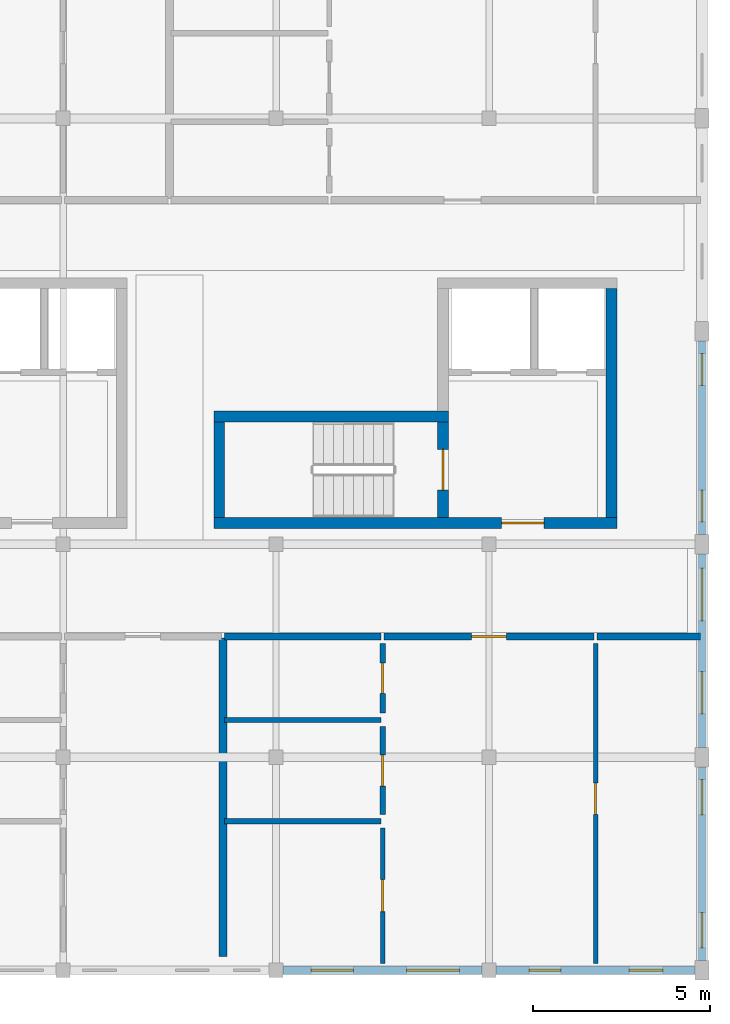
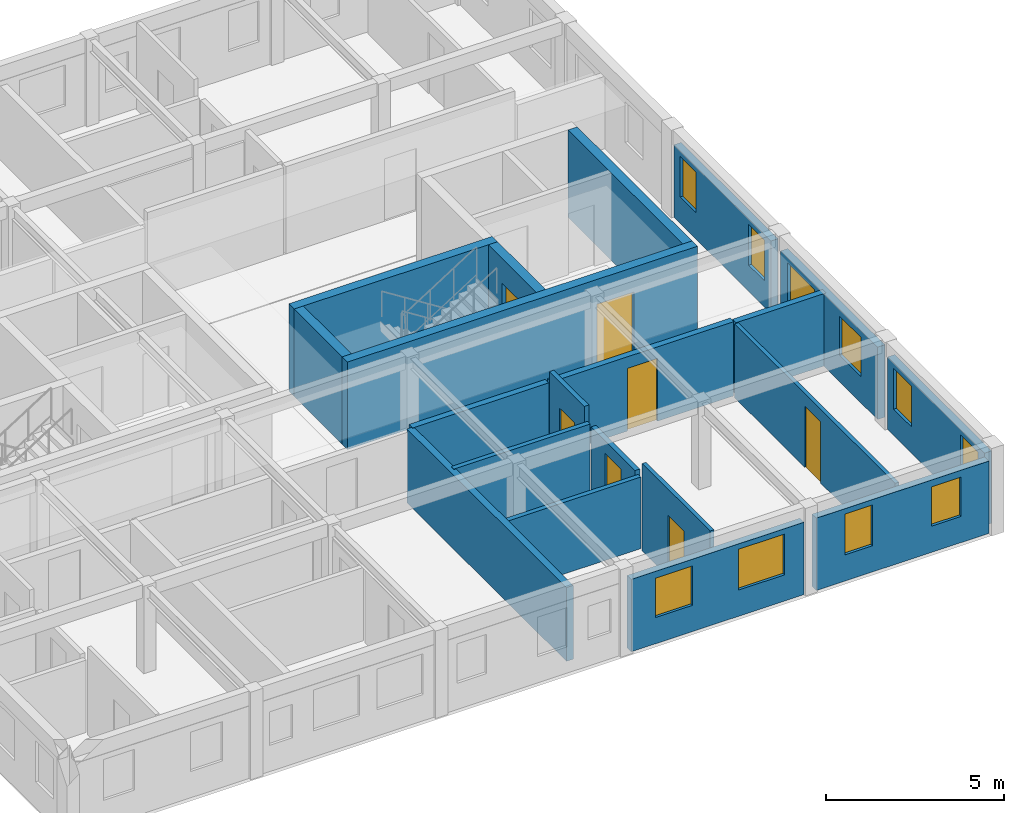
# One storey, part 3 of 7: 20 walls, 10 windows, 7 doors, 17 openings.
"""IFC4 building model written with IfcOpenShell, lengths in metres."""

from ifc_helpers import new_model, si_unit, direction, frame, frame_2d, origin, place, context, subcontext, project, spatial, rectangle, extrude, material, layer, layer_set, type_object, element, fill, save


model = new_model("IFC4")

# Units and contexts
model_context = context("Model", 3, precision=1e-05, world=origin(), true_north=direction((0.0, 1.0)))
body_context = subcontext(model_context, "Body", "Model", "MODEL_VIEW")
ifc_project = project(units=[si_unit("LENGTHUNIT", "METRE"), si_unit("AREAUNIT", "SQUARE_METRE"), si_unit("VOLUMEUNIT", "CUBIC_METRE"), si_unit("PLANEANGLEUNIT", "RADIAN"), si_unit("MASSUNIT", "GRAM", prefix="KILO"), si_unit("POWERUNIT", "WATT"), si_unit("THERMODYNAMICTEMPERATUREUNIT", "KELVIN")], contexts=[model_context])

# Site, building, storey
site_placement = place(None, origin())
site = spatial("IfcSite", under=ifc_project, at=site_placement, CompositionType="ELEMENT")
building_placement = place(site_placement, origin())
building = spatial("IfcBuilding", under=site, at=building_placement, Name="Ruvembo Vaulted Housing Court", CompositionType="ELEMENT")
storey_placement = place(building_placement, frame((0.0, 0.0, 39.699951171875)))
storey = spatial("IfcBuildingStorey", under=building, at=storey_placement, Name="L12", CompositionType="ELEMENT", Elevation=39.699951171875)

# Wall, opening, door
ifc_material_1 = material(Name="Concrete C35/45", Category="concrete")
ifc_layer_1 = layer(ifc_material_1, 0.300048828125, Name="Concrete C35/45")
ifc_layer_set_1 = layer_set([ifc_layer_1], Name="Concrete C35/45")
wall_type_1 = type_object("IfcWallType", Name="WL-CORE-300", PredefinedType="SHEAR", material=ifc_layer_set_1)
wall_1_placement = place(storey_placement, frame((16.25, 18.60009765625, 0.0), z_axis=(0.0, 0.0, 1.0), x_axis=(1.0, 0.0, 0.0)))
wall_1 = element("IfcWall", 1, at=wall_1_placement, inside=storey, type_object=wall_type_1, Name="Core A2 L12 South Shear Wall", PredefinedType="SHEAR", context=body_context, shape_type="SweptSolid", body=[
    extrude(rectangle(XDim=11.35009765625, YDim=0.300048828125, at=frame_2d((5.675048828125, 0.0))), origin(), (0.0, 0.0, 1.0), 3.0),
])
opening_1_placement = place(wall_1_placement, frame((8.10009765625, 0.0, 0.0)))
opening_1 = element("IfcOpeningElement", 2, at=opening_1_placement, cuts=wall_1, Name="Opening LD3", PredefinedType="OPENING", context=body_context, shape_type="SweptSolid", body=[
    extrude(rectangle(XDim=1.199951171875, YDim=2.14990234375, at=frame_2d((0.60009765625, 1.074951171875))), frame((0.0, 0.159912109375, 0.0), z_axis=(0.0, -1.0, 0.0), x_axis=(1.0, 0.0, 0.0)), (0.0, 0.0, 1.0), 0.320068359375),
])
ifc_material_2 = material(Name="Galvanised Painted Steel", Category="steel")
door_type_1 = type_object("IfcDoorType", Name="DR-LOB-1200x2150", OperationType="NOTDEFINED", PredefinedType="DOOR", material=ifc_material_2)
door_1_placement = place(opening_1_placement, origin())
door_1 = element("IfcDoor", 3, at=door_1_placement, inside=storey, type_object=door_type_1, Name="Core A2 L12 Lobby Fire Door", OperationType="SINGLE_SWING_RIGHT", OverallHeight=2.14990234375, OverallWidth=1.199951171875, PredefinedType="DOOR", context=body_context, shape_type="SweptSolid", body=[
    extrude(rectangle(XDim=1.199951171875, YDim=2.14990234375, at=frame_2d((0.60009765625, 1.074951171875))), frame((0.0, 0.02490234375, 0.0), z_axis=(0.0, -1.0, 0.0), x_axis=(1.0, 0.0, 0.0)), (0.0, 0.0, 1.0), 0.050048828125),
])
fill(opening_1, door_1)

# Walls
wall_2_placement = place(storey_placement, frame((22.85009765625, 21.60009765625, 0.0), z_axis=(0.0, 0.0, 1.0), x_axis=(-1.0, 0.0, 0.0)))
element("IfcWall", 4, at=wall_2_placement, inside=storey, type_object=wall_type_1, Name="Core A2 L12 Stair North Shear Wall", PredefinedType="SHEAR", context=body_context, shape_type="SweptSolid", body=[
    extrude(rectangle(XDim=6.60009765625, YDim=0.300048828125, at=frame_2d((3.300048828125, 0.0))), origin(), (0.0, 0.0, 1.0), 3.0),
])
wall_3_placement = place(storey_placement, frame((16.39990234375, 21.449951171875, 0.0), z_axis=(0.0, 0.0, 1.0), x_axis=(0.0, -1.0, 0.0)))
element("IfcWall", 5, at=wall_3_placement, inside=storey, type_object=wall_type_1, Name="Core A2 L12 Stair West Shear Wall", PredefinedType="SHEAR", context=body_context, shape_type="SweptSolid", body=[
    extrude(rectangle(XDim=2.699951171875, YDim=0.300048828125, at=frame_2d((1.35009765625, 0.0))), origin(), (0.0, 0.0, 1.0), 3.0),
])

# Wall, opening, door
wall_4_placement = place(storey_placement, frame((22.699951171875, 18.75, 0.0), z_axis=(0.0, 0.0, 1.0), x_axis=(0.0, 1.0, 0.0)))
wall_4 = element("IfcWall", 6, at=wall_4_placement, inside=storey, type_object=wall_type_1, Name="Core A2 L12 Stair-Lobby Shear Wall", PredefinedType="SHEAR", context=body_context, shape_type="SweptSolid", body=[
    extrude(rectangle(XDim=2.699951171875, YDim=0.300048828125, at=frame_2d((1.35009765625, 0.0))), origin(), (0.0, 0.0, 1.0), 3.0),
])
opening_2_placement = place(wall_4_placement, frame((0.77490234375, 0.0, 0.0)))
opening_2 = element("IfcOpeningElement", 7, at=opening_2_placement, cuts=wall_4, Name="Opening SD1", PredefinedType="OPENING", context=body_context, shape_type="SweptSolid", body=[
    extrude(rectangle(XDim=1.14990234375, YDim=2.14990234375, at=frame_2d((0.574951171875, 1.074951171875))), frame((0.0, 0.159912109375, 0.0), z_axis=(0.0, -1.0, 0.0), x_axis=(1.0, 0.0, 0.0)), (0.0, 0.0, 1.0), 0.320068359375),
])
door_type_2 = type_object("IfcDoorType", Name="DR-STAIR-1150x2150", OperationType="NOTDEFINED", PredefinedType="DOOR", material=ifc_material_2)
door_2_placement = place(opening_2_placement, origin())
door_2 = element("IfcDoor", 8, at=door_2_placement, inside=storey, type_object=door_type_2, Name="Stair ST-A2 L12 Fire Door", OperationType="SINGLE_SWING_LEFT", OverallHeight=2.14990234375, OverallWidth=1.14990234375, PredefinedType="DOOR", context=body_context, shape_type="SweptSolid", body=[
    extrude(rectangle(XDim=1.14990234375, YDim=2.14990234375, at=frame_2d((0.574951171875, 1.074951171875))), frame((0.0, 0.02490234375, 0.0), z_axis=(0.0, -1.0, 0.0), x_axis=(1.0, 0.0, 0.0)), (0.0, 0.0, 1.0), 0.050048828125),
])
fill(opening_2, door_2)

# Walls
wall_5_placement = place(storey_placement, frame((27.449951171875, 18.75, 0.0), z_axis=(0.0, 0.0, 1.0), x_axis=(0.0, 1.0, 0.0)))
element("IfcWall", 9, at=wall_5_placement, inside=storey, type_object=wall_type_1, Name="Core A2 L12 East Shear Wall", PredefinedType="SHEAR", context=body_context, shape_type="SweptSolid", body=[
    extrude(rectangle(XDim=6.449951171875, YDim=0.300048828125, at=frame_2d((3.22509765625, 0.0))), origin(), (0.0, 0.0, 1.0), 3.0),
])
ifc_material_3 = material(Name="Concrete Blockwork 200", Category="masonry")
ifc_layer_2 = layer(ifc_material_3, 0.199951171875, Name="Concrete Blockwork 200")
ifc_layer_set_2 = layer_set([ifc_layer_2], Name="Concrete Blockwork 200")
wall_type_2 = type_object("IfcWallType", Name="WL-CORR-200", PredefinedType="SOLIDWALL", material=ifc_layer_set_2)
wall_6_placement = place(storey_placement, frame((16.5400390625, 15.39990234375, 0.0), z_axis=(0.0, 0.0, 1.0), x_axis=(1.0, 0.0, 0.0)))
element("IfcWall", 10, at=wall_6_placement, inside=storey, type_object=wall_type_2, Name="L12 Flat A-L12-S3 Corridor Wall WL-INT-L12-02322", PredefinedType="SOLIDWALL", context=body_context, shape_type="SweptSolid", body=[
    extrude(rectangle(XDim=4.419921875, YDim=0.199951171875, at=frame_2d((2.2099609375, 0.0))), origin(), (0.0, 0.0, 1.0), 2.548095703125),
])

# Wall, opening, door
wall_7_placement = place(storey_placement, frame((21.0400390625, 15.39990234375, 0.0), z_axis=(0.0, 0.0, 1.0), x_axis=(1.0, 0.0, 0.0)))
wall_7 = element("IfcWall", 11, at=wall_7_placement, inside=storey, type_object=wall_type_2, Name="L12 Flat A-L12-S3 Entrance WL-INT-L12-02323", PredefinedType="SOLIDWALL", context=body_context, shape_type="SweptSolid", body=[
    extrude(rectangle(XDim=5.919921875, YDim=0.199951171875, at=frame_2d((2.9599609375, 0.0))), origin(), (0.0, 0.0, 1.0), 2.548095703125),
])
opening_3_placement = place(wall_7_placement, frame((2.469970703125, 0.0, 0.0)))
opening_3 = element("IfcOpeningElement", 12, at=opening_3_placement, cuts=wall_7, Name="Opening FD2", PredefinedType="OPENING", context=body_context, shape_type="SweptSolid", body=[
    extrude(rectangle(XDim=0.97998046875, YDim=2.14990234375, at=frame_2d((0.489990234375, 1.074951171875))), frame((0.0, 0.10986328125, 0.0), z_axis=(0.0, -1.0, 0.0), x_axis=(1.0, 0.0, 0.0)), (0.0, 0.0, 1.0), 0.219970703125),
])
ifc_material_4 = material(Name="FSC Hardwood and Engineered Timber", Category="wood")
door_type_3 = type_object("IfcDoorType", Name="DR-FLAT-0980x2150", OperationType="NOTDEFINED", PredefinedType="DOOR", material=ifc_material_4)
door_3_placement = place(opening_3_placement, origin())
door_3 = element("IfcDoor", 13, at=door_3_placement, inside=storey, type_object=door_type_3, Name="L12 Flat A-L12-S3 Entrance Door DR-INT-L12-01285", OperationType="SINGLE_SWING_LEFT", OverallHeight=2.14990234375, OverallWidth=0.97998046875, PredefinedType="DOOR", context=body_context, shape_type="SweptSolid", body=[
    extrude(rectangle(XDim=0.97998046875, YDim=2.14990234375, at=frame_2d((0.489990234375, 1.074951171875))), frame((0.0, 0.02490234375, 0.0), z_axis=(0.0, -1.0, 0.0), x_axis=(1.0, 0.0, 0.0)), (0.0, 0.0, 1.0), 0.050048828125),
])
fill(opening_3, door_3)

# Walls
wall_8_placement = place(storey_placement, frame((27.0400390625, 15.39990234375, 0.0), z_axis=(0.0, 0.0, 1.0), x_axis=(1.0, 0.0, 0.0)))
element("IfcWall", 14, at=wall_8_placement, inside=storey, type_object=wall_type_2, Name="L12 Flat A-L12-S3 Corridor Wall 2 WL-INT-L12-02329", PredefinedType="SOLIDWALL", context=body_context, shape_type="SweptSolid", body=[
    extrude(rectangle(XDim=2.919921875, YDim=0.199951171875, at=frame_2d((1.4599609375, 0.0))), origin(), (0.0, 0.0, 1.0), 2.48193359375),
])
ifc_material_5 = material(Name="Acoustic Masonry Demising 220", Category="masonry")
ifc_layer_3 = layer(ifc_material_5, 0.219970703125, Name="Acoustic Masonry Demising 220")
ifc_layer_set_3 = layer_set([ifc_layer_3], Name="Acoustic Masonry Demising 220")
wall_type_3 = type_object("IfcWallType", Name="WL-DEM-200", PredefinedType="SOLIDWALL", material=ifc_layer_set_3)
wall_9_placement = place(storey_placement, frame((16.5, 6.389892578125, 0.0), z_axis=(0.0, 0.0, 1.0), x_axis=(0.0, 1.0, 0.0)))
element("IfcWall", 15, at=wall_9_placement, inside=storey, type_object=wall_type_3, Name="L12 Demising A-L12-S2 WL-INT-L12-02314", PredefinedType="SOLIDWALL", context=body_context, shape_type="SweptSolid", body=[
    extrude(rectangle(XDim=8.97021484375, YDim=0.219970703125, at=frame_2d((4.485107421875, 0.0))), origin(), (0.0, 0.0, 1.0), 2.531982421875),
])

# Wall, openings, windows
ifc_material_6 = material(Name="Rendered Masonry 235", Category="masonry")
ifc_layer_4 = layer(ifc_material_6, 0.235107421875, Name="Rendered Masonry 235")
ifc_layer_set_4 = layer_set([ifc_layer_4], Name="Rendered Masonry 235")
wall_type_4 = type_object("IfcWallType", Name="WL-EXT-235", PredefinedType="STANDARD", material=ifc_layer_set_4)
wall_10_placement = place(storey_placement, frame((18.199951171875, 6.0, 0.0), z_axis=(0.0, 0.0, 1.0), x_axis=(1.0, 0.0, 0.0)))
wall_10 = element("IfcWall", 16, at=wall_10_placement, inside=storey, type_object=wall_type_4, Name="Block A L12 Exterior Wall STREET #4", PredefinedType="STANDARD", context=body_context, shape_type="SweptSolid", body=[
    extrude(rectangle(XDim=5.60009765625, YDim=0.235107421875, at=frame_2d((2.800048828125, 0.0))), origin(), (0.0, 0.0, 1.0), 2.48193359375),
])
opening_4_placement = place(wall_10_placement, frame((0.780029296875, 0.0, 0.89990234375)))
opening_4 = element("IfcOpeningElement", 17, at=opening_4_placement, cuts=wall_10, Name="Opening W12", PredefinedType="OPENING", context=body_context, shape_type="SweptSolid", body=[
    extrude(rectangle(XDim=1.199951171875, YDim=1.35009765625, at=frame_2d((0.60009765625, 0.675048828125))), frame((0.0, 0.12744140625, 0.0), z_axis=(0.0, -1.0, 0.0), x_axis=(1.0, 0.0, 0.0)), (0.0, 0.0, 1.0), 0.255126953125),
])
opening_5_placement = place(wall_10_placement, frame((3.469970703125, 0.0, 0.89990234375)))
opening_5 = element("IfcOpeningElement", 18, at=opening_5_placement, cuts=wall_10, Name="Opening W18", PredefinedType="OPENING", context=body_context, shape_type="SweptSolid", body=[
    extrude(rectangle(XDim=1.5, YDim=1.39990234375, at=frame_2d((0.75, 0.699951171875))), frame((0.0, 0.12744140625, 0.0), z_axis=(0.0, -1.0, 0.0), x_axis=(1.0, 0.0, 0.0)), (0.0, 0.0, 1.0), 0.255126953125),
])
ifc_material_7 = material(Name="Double Solar-Control Glazing in Aluminium Frame", Category="aluminium")
window_type_1 = type_object("IfcWindowType", Name="WIN-1200x1350", PartitioningType="SINGLE_PANEL", PredefinedType="WINDOW", material=ifc_material_7)
window_1_placement = place(opening_4_placement, origin())
window_1 = element("IfcWindow", 19, at=window_1_placement, inside=storey, type_object=window_type_1, Name="Block A L12 Window #520", OverallHeight=1.35009765625, OverallWidth=1.199951171875, PartitioningType="SINGLE_PANEL", PredefinedType="WINDOW", context=body_context, shape_type="SweptSolid", body=[
    extrude(rectangle(XDim=1.199951171875, YDim=1.35009765625, at=frame_2d((0.60009765625, 0.675048828125))), frame((0.0, 0.030029296875, 0.0), z_axis=(0.0, -1.0, 0.0), x_axis=(1.0, 0.0, 0.0)), (0.0, 0.0, 1.0), 0.06005859375),
])
fill(opening_4, window_1)
window_type_2 = type_object("IfcWindowType", Name="WIN-1500x1400", PartitioningType="SINGLE_PANEL", PredefinedType="WINDOW", material=ifc_material_7)
window_2_placement = place(opening_5_placement, origin())
window_2 = element("IfcWindow", 20, at=window_2_placement, inside=storey, type_object=window_type_2, Name="Block A L12 Window #521", OverallHeight=1.39990234375, OverallWidth=1.5, PartitioningType="SINGLE_PANEL", PredefinedType="WINDOW", context=body_context, shape_type="SweptSolid", body=[
    extrude(rectangle(XDim=1.5, YDim=1.39990234375, at=frame_2d((0.75, 0.699951171875))), frame((0.0, 0.030029296875, 0.0), z_axis=(0.0, -1.0, 0.0), x_axis=(1.0, 0.0, 0.0)), (0.0, 0.0, 1.0), 0.06005859375),
])
fill(opening_5, window_2)

wall_11_placement = place(storey_placement, frame((24.199951171875, 6.0, 0.0), z_axis=(0.0, 0.0, 1.0), x_axis=(1.0, 0.0, 0.0)))
wall_11 = element("IfcWall", 21, at=wall_11_placement, inside=storey, type_object=wall_type_4, Name="Block A L12 Exterior Wall STREET #5", PredefinedType="STANDARD", context=body_context, shape_type="SweptSolid", body=[
    extrude(rectangle(XDim=5.60009765625, YDim=0.235107421875, at=frame_2d((2.800048828125, 0.0))), origin(), (0.0, 0.0, 1.0), 2.48193359375),
])
opening_6_placement = place(wall_11_placement, frame((0.929931640625, 0.0, 0.89990234375)))
opening_6 = element("IfcOpeningElement", 22, at=opening_6_placement, cuts=wall_11, Name="Opening W05", PredefinedType="OPENING", context=body_context, shape_type="SweptSolid", body=[
    extrude(rectangle(XDim=0.89990234375, YDim=1.39990234375, at=frame_2d((0.449951171875, 0.699951171875))), frame((0.0, 0.12744140625, 0.0), z_axis=(0.0, -1.0, 0.0), x_axis=(1.0, 0.0, 0.0)), (0.0, 0.0, 1.0), 0.255126953125),
])
opening_7_placement = place(wall_11_placement, frame((3.7451171875, 0.0, 0.89990234375)))
opening_7 = element("IfcOpeningElement", 23, at=opening_7_placement, cuts=wall_11, Name="Opening W07", PredefinedType="OPENING", context=body_context, shape_type="SweptSolid", body=[
    extrude(rectangle(XDim=0.949951171875, YDim=1.35009765625, at=frame_2d((0.47509765625, 0.675048828125))), frame((0.0, 0.12744140625, 0.0), z_axis=(0.0, -1.0, 0.0), x_axis=(1.0, 0.0, 0.0)), (0.0, 0.0, 1.0), 0.255126953125),
])
window_type_3 = type_object("IfcWindowType", Name="WIN-0900x1400", PartitioningType="SINGLE_PANEL", PredefinedType="WINDOW", material=ifc_material_7)
window_3_placement = place(opening_6_placement, origin())
window_3 = element("IfcWindow", 24, at=window_3_placement, inside=storey, type_object=window_type_3, Name="Block A L12 Window #522", OverallHeight=1.39990234375, OverallWidth=0.89990234375, PartitioningType="SINGLE_PANEL", PredefinedType="WINDOW", context=body_context, shape_type="SweptSolid", body=[
    extrude(rectangle(XDim=0.89990234375, YDim=1.39990234375, at=frame_2d((0.449951171875, 0.699951171875))), frame((0.0, 0.030029296875, 0.0), z_axis=(0.0, -1.0, 0.0), x_axis=(1.0, 0.0, 0.0)), (0.0, 0.0, 1.0), 0.06005859375),
])
fill(opening_6, window_3)
window_type_4 = type_object("IfcWindowType", Name="WIN-0950x1350", PartitioningType="SINGLE_PANEL", PredefinedType="WINDOW", material=ifc_material_7)
window_4_placement = place(opening_7_placement, origin())
window_4 = element("IfcWindow", 25, at=window_4_placement, inside=storey, type_object=window_type_4, Name="Block A L12 Window #523", OverallHeight=1.35009765625, OverallWidth=0.949951171875, PartitioningType="SINGLE_PANEL", PredefinedType="WINDOW", context=body_context, shape_type="SweptSolid", body=[
    extrude(rectangle(XDim=0.949951171875, YDim=1.35009765625, at=frame_2d((0.47509765625, 0.675048828125))), frame((0.0, 0.030029296875, 0.0), z_axis=(0.0, -1.0, 0.0), x_axis=(1.0, 0.0, 0.0)), (0.0, 0.0, 1.0), 0.06005859375),
])
fill(opening_7, window_4)

wall_12_placement = place(storey_placement, frame((30.0, 6.27490234375, 0.0), z_axis=(0.0, 0.0, 1.0), x_axis=(0.0, 1.0, 0.0)))
wall_12 = element("IfcWall", 26, at=wall_12_placement, inside=storey, type_object=wall_type_4, Name="Block A L12 Exterior Wall EAST #1", PredefinedType="STANDARD", context=body_context, shape_type="SweptSolid", body=[
    extrude(rectangle(XDim=5.4501953125, YDim=0.235107421875, at=frame_2d((2.72509765625, 0.0))), origin(), (0.0, 0.0, 1.0), 2.48193359375),
])
opening_8_placement = place(wall_12_placement, frame((0.35009765625, 0.0, 0.89990234375)))
opening_8 = element("IfcOpeningElement", 27, at=opening_8_placement, cuts=wall_12, Name="Opening W08", PredefinedType="OPENING", context=body_context, shape_type="SweptSolid", body=[
    extrude(rectangle(XDim=1.0, YDim=1.39990234375, at=frame_2d((0.5, 0.699951171875))), frame((0.0, 0.12744140625, 0.0), z_axis=(0.0, -1.0, 0.0), x_axis=(1.0, 0.0, 0.0)), (0.0, 0.0, 1.0), 0.255126953125),
])
opening_9_placement = place(wall_12_placement, frame((4.10009765625, 0.0, 0.89990234375)))
opening_9 = element("IfcOpeningElement", 28, at=opening_9_placement, cuts=wall_12, Name="Opening W08", PredefinedType="OPENING", context=body_context, shape_type="SweptSolid", body=[
    extrude(rectangle(XDim=1.0, YDim=1.39990234375, at=frame_2d((0.5, 0.699951171875))), frame((0.0, 0.12744140625, 0.0), z_axis=(0.0, -1.0, 0.0), x_axis=(1.0, 0.0, 0.0)), (0.0, 0.0, 1.0), 0.255126953125),
])
window_type_5 = type_object("IfcWindowType", Name="WIN-1000x1400", PartitioningType="SINGLE_PANEL", PredefinedType="WINDOW", material=ifc_material_7)
window_5_placement = place(opening_8_placement, origin())
window_5 = element("IfcWindow", 29, at=window_5_placement, inside=storey, type_object=window_type_5, Name="Block A L12 Window #524", OverallHeight=1.39990234375, OverallWidth=1.0, PartitioningType="SINGLE_PANEL", PredefinedType="WINDOW", context=body_context, shape_type="SweptSolid", body=[
    extrude(rectangle(XDim=1.0, YDim=1.39990234375, at=frame_2d((0.5, 0.699951171875))), frame((0.0, 0.030029296875, 0.0), z_axis=(0.0, -1.0, 0.0), x_axis=(1.0, 0.0, 0.0)), (0.0, 0.0, 1.0), 0.06005859375),
])
fill(opening_8, window_5)
window_6_placement = place(opening_9_placement, origin())
window_6 = element("IfcWindow", 30, at=window_6_placement, inside=storey, type_object=window_type_5, Name="Block A L12 Window #525", OverallHeight=1.39990234375, OverallWidth=1.0, PartitioningType="SINGLE_PANEL", PredefinedType="WINDOW", context=body_context, shape_type="SweptSolid", body=[
    extrude(rectangle(XDim=1.0, YDim=1.39990234375, at=frame_2d((0.5, 0.699951171875))), frame((0.0, 0.030029296875, 0.0), z_axis=(0.0, -1.0, 0.0), x_axis=(1.0, 0.0, 0.0)), (0.0, 0.0, 1.0), 0.06005859375),
])
fill(opening_9, window_6)

wall_13_placement = place(storey_placement, frame((30.0, 12.27490234375, 0.0), z_axis=(0.0, 0.0, 1.0), x_axis=(0.0, 1.0, 0.0)))
wall_13 = element("IfcWall", 31, at=wall_13_placement, inside=storey, type_object=wall_type_4, Name="Block A L12 Exterior Wall EAST #2", PredefinedType="STANDARD", context=body_context, shape_type="SweptSolid", body=[
    extrude(rectangle(XDim=5.4501953125, YDim=0.235107421875, at=frame_2d((2.72509765625, 0.0))), origin(), (0.0, 0.0, 1.0), 2.48193359375),
])
opening_10_placement = place(wall_13_placement, frame((0.9423828125, 0.0, 0.89990234375)))
opening_10 = element("IfcOpeningElement", 32, at=opening_10_placement, cuts=wall_13, Name="Opening W12", PredefinedType="OPENING", context=body_context, shape_type="SweptSolid", body=[
    extrude(rectangle(XDim=1.199951171875, YDim=1.35009765625, at=frame_2d((0.60009765625, 0.675048828125))), frame((0.0, 0.12744140625, 0.0), z_axis=(0.0, -1.0, 0.0), x_axis=(1.0, 0.0, 0.0)), (0.0, 0.0, 1.0), 0.255126953125),
])
opening_11_placement = place(wall_13_placement, frame((3.5576171875, 0.0, 0.89990234375)))
opening_11 = element("IfcOpeningElement", 33, at=opening_11_placement, cuts=wall_13, Name="Opening W18", PredefinedType="OPENING", context=body_context, shape_type="SweptSolid", body=[
    extrude(rectangle(XDim=1.5, YDim=1.39990234375, at=frame_2d((0.75, 0.699951171875))), frame((0.0, 0.12744140625, 0.0), z_axis=(0.0, -1.0, 0.0), x_axis=(1.0, 0.0, 0.0)), (0.0, 0.0, 1.0), 0.255126953125),
])
window_7_placement = place(opening_10_placement, origin())
window_7 = element("IfcWindow", 34, at=window_7_placement, inside=storey, type_object=window_type_1, Name="Block A L12 Window #526", OverallHeight=1.35009765625, OverallWidth=1.199951171875, PartitioningType="SINGLE_PANEL", PredefinedType="WINDOW", context=body_context, shape_type="SweptSolid", body=[
    extrude(rectangle(XDim=1.199951171875, YDim=1.35009765625, at=frame_2d((0.60009765625, 0.675048828125))), frame((0.0, 0.030029296875, 0.0), z_axis=(0.0, -1.0, 0.0), x_axis=(1.0, 0.0, 0.0)), (0.0, 0.0, 1.0), 0.06005859375),
])
fill(opening_10, window_7)
window_8_placement = place(opening_11_placement, origin())
window_8 = element("IfcWindow", 35, at=window_8_placement, inside=storey, type_object=window_type_2, Name="Block A L12 Window #527", OverallHeight=1.39990234375, OverallWidth=1.5, PartitioningType="SINGLE_PANEL", PredefinedType="WINDOW", context=body_context, shape_type="SweptSolid", body=[
    extrude(rectangle(XDim=1.5, YDim=1.39990234375, at=frame_2d((0.75, 0.699951171875))), frame((0.0, 0.030029296875, 0.0), z_axis=(0.0, -1.0, 0.0), x_axis=(1.0, 0.0, 0.0)), (0.0, 0.0, 1.0), 0.06005859375),
])
fill(opening_11, window_8)

wall_14_placement = place(storey_placement, frame((30.0, 18.27490234375, 0.0), z_axis=(0.0, 0.0, 1.0), x_axis=(0.0, 1.0, 0.0)))
wall_14 = element("IfcWall", 36, at=wall_14_placement, inside=storey, type_object=wall_type_4, Name="Block A L12 Exterior Wall EAST #3", PredefinedType="STANDARD", context=body_context, shape_type="SweptSolid", body=[
    extrude(rectangle(XDim=5.4501953125, YDim=0.235107421875, at=frame_2d((2.72509765625, 0.0))), origin(), (0.0, 0.0, 1.0), 2.48193359375),
])
opening_12_placement = place(wall_14_placement, frame((0.35009765625, 0.0, 0.89990234375)))
opening_12 = element("IfcOpeningElement", 37, at=opening_12_placement, cuts=wall_14, Name="Opening W05", PredefinedType="OPENING", context=body_context, shape_type="SweptSolid", body=[
    extrude(rectangle(XDim=0.89990234375, YDim=1.39990234375, at=frame_2d((0.449951171875, 0.699951171875))), frame((0.0, 0.12744140625, 0.0), z_axis=(0.0, -1.0, 0.0), x_axis=(1.0, 0.0, 0.0)), (0.0, 0.0, 1.0), 0.255126953125),
])
opening_13_placement = place(wall_14_placement, frame((4.199951171875, 0.0, 0.89990234375)))
opening_13 = element("IfcOpeningElement", 38, at=opening_13_placement, cuts=wall_14, Name="Opening W05", PredefinedType="OPENING", context=body_context, shape_type="SweptSolid", body=[
    extrude(rectangle(XDim=0.89990234375, YDim=1.39990234375, at=frame_2d((0.449951171875, 0.699951171875))), frame((0.0, 0.12744140625, 0.0), z_axis=(0.0, -1.0, 0.0), x_axis=(1.0, 0.0, 0.0)), (0.0, 0.0, 1.0), 0.255126953125),
])
window_9_placement = place(opening_12_placement, origin())
window_9 = element("IfcWindow", 39, at=window_9_placement, inside=storey, type_object=window_type_3, Name="Block A L12 Window #528", OverallHeight=1.39990234375, OverallWidth=0.89990234375, PartitioningType="SINGLE_PANEL", PredefinedType="WINDOW", context=body_context, shape_type="SweptSolid", body=[
    extrude(rectangle(XDim=0.89990234375, YDim=1.39990234375, at=frame_2d((0.449951171875, 0.699951171875))), frame((0.0, 0.030029296875, 0.0), z_axis=(0.0, -1.0, 0.0), x_axis=(1.0, 0.0, 0.0)), (0.0, 0.0, 1.0), 0.06005859375),
])
fill(opening_12, window_9)
window_10_placement = place(opening_13_placement, origin())
window_10 = element("IfcWindow", 40, at=window_10_placement, inside=storey, type_object=window_type_3, Name="Block A L12 Window #529", OverallHeight=1.39990234375, OverallWidth=0.89990234375, PartitioningType="SINGLE_PANEL", PredefinedType="WINDOW", context=body_context, shape_type="SweptSolid", body=[
    extrude(rectangle(XDim=0.89990234375, YDim=1.39990234375, at=frame_2d((0.449951171875, 0.699951171875))), frame((0.0, 0.030029296875, 0.0), z_axis=(0.0, -1.0, 0.0), x_axis=(1.0, 0.0, 0.0)), (0.0, 0.0, 1.0), 0.06005859375),
])
fill(opening_13, window_10)

# Wall, opening, door
ifc_material_8 = material(Name="Plasterboard Stud Partition 125", Category="gypsum")
ifc_layer_5 = layer(ifc_material_8, 0.125, Name="Plasterboard Stud Partition 125")
ifc_layer_set_5 = layer_set([ifc_layer_5], Name="Plasterboard Stud Partition 125")
wall_type_5 = type_object("IfcWallType", Name="WL-PART-125", PredefinedType="PARTITIONING", material=ifc_layer_set_5)
wall_15_placement = place(storey_placement, frame((21.0, 6.18994140625, 0.0), z_axis=(0.0, 0.0, 1.0), x_axis=(0.0, 1.0, 0.0)))
wall_15 = element("IfcWall", 41, at=wall_15_placement, inside=storey, type_object=wall_type_5, Name="L12 Flat A-L12-S3 Bedroom 1 WL-INT-L12-02324", PredefinedType="PARTITIONING", context=body_context, shape_type="SweptSolid", body=[
    extrude(rectangle(XDim=3.820068359375, YDim=0.125, at=frame_2d((1.91015625, 0.0))), origin(), (0.0, 0.0, 1.0), 3.0),
])
opening_14_placement = place(wall_15_placement, frame((1.4599609375, 0.0, 0.0)))
opening_14 = element("IfcOpeningElement", 42, at=opening_14_placement, cuts=wall_15, Name="Opening ID1", PredefinedType="OPENING", context=body_context, shape_type="SweptSolid", body=[
    extrude(rectangle(XDim=0.89990234375, YDim=2.10009765625, at=frame_2d((0.449951171875, 1.050048828125))), frame((0.0, 0.072509765625, 0.0), z_axis=(0.0, -1.0, 0.0), x_axis=(1.0, 0.0, 0.0)), (0.0, 0.0, 1.0), 0.14501953125),
])
door_type_4 = type_object("IfcDoorType", Name="DR-ROOM-0900x2100", OperationType="NOTDEFINED", PredefinedType="DOOR", material=ifc_material_4)
door_4_placement = place(opening_14_placement, origin())
door_4 = element("IfcDoor", 43, at=door_4_placement, inside=storey, type_object=door_type_4, Name="L12 Flat A-L12-S3 Bedroom 1 Door DR-INT-L12-01286", OperationType="SINGLE_SWING_RIGHT", OverallHeight=2.10009765625, OverallWidth=0.89990234375, PredefinedType="DOOR", context=body_context, shape_type="SweptSolid", body=[
    extrude(rectangle(XDim=0.89990234375, YDim=2.10009765625, at=frame_2d((0.449951171875, 1.050048828125))), frame((0.0, 0.02490234375, 0.0), z_axis=(0.0, -1.0, 0.0), x_axis=(1.0, 0.0, 0.0)), (0.0, 0.0, 1.0), 0.050048828125),
])
fill(opening_14, door_4)

wall_16_placement = place(storey_placement, frame((27.0, 6.18994140625, 0.0), z_axis=(0.0, 0.0, 1.0), x_axis=(0.0, 1.0, 0.0)))
wall_16 = element("IfcWall", 44, at=wall_16_placement, inside=storey, type_object=wall_type_5, Name="L12 Flat A-L12-S3 Bedroom 2 WL-INT-L12-02330", PredefinedType="PARTITIONING", context=body_context, shape_type="SweptSolid", body=[
    extrude(rectangle(XDim=9.02001953125, YDim=0.125, at=frame_2d((4.510009765625, 0.0))), origin(), (0.0, 0.0, 1.0), 2.531982421875),
])
opening_15_placement = place(wall_16_placement, frame((4.199951171875, 0.0, 0.0)))
opening_15 = element("IfcOpeningElement", 45, at=opening_15_placement, cuts=wall_16, Name="Opening ID3", PredefinedType="OPENING", context=body_context, shape_type="SweptSolid", body=[
    extrude(rectangle(XDim=0.8798828125, YDim=2.10009765625, at=frame_2d((0.43994140625, 1.050048828125))), frame((0.0, 0.072509765625, 0.0), z_axis=(0.0, -1.0, 0.0), x_axis=(1.0, 0.0, 0.0)), (0.0, 0.0, 1.0), 0.14501953125),
])
door_type_5 = type_object("IfcDoorType", Name="DR-ROOM-0880x2100", OperationType="NOTDEFINED", PredefinedType="DOOR", material=ifc_material_4)
door_5_placement = place(opening_15_placement, origin())
door_5 = element("IfcDoor", 46, at=door_5_placement, inside=storey, type_object=door_type_5, Name="L12 Flat A-L12-S3 Bedroom 2 Door DR-INT-L12-01289", OperationType="SINGLE_SWING_LEFT", OverallHeight=2.10009765625, OverallWidth=0.8798828125, PredefinedType="DOOR", context=body_context, shape_type="SweptSolid", body=[
    extrude(rectangle(XDim=0.8798828125, YDim=2.10009765625, at=frame_2d((0.43994140625, 1.050048828125))), frame((0.0, 0.02490234375, 0.0), z_axis=(0.0, -1.0, 0.0), x_axis=(1.0, 0.0, 0.0)), (0.0, 0.0, 1.0), 0.050048828125),
])
fill(opening_15, door_5)

ifc_material_9 = material(Name="Moisture-Resistant Wet Partition 150", Category="gypsum")
ifc_layer_6 = layer(ifc_material_9, 0.14990234375, Name="Moisture-Resistant Wet Partition 150")
ifc_layer_set_6 = layer_set([ifc_layer_6], Name="Moisture-Resistant Wet Partition 150")
wall_type_6 = type_object("IfcWallType", Name="WL-PART-150", PredefinedType="PARTITIONING", material=ifc_layer_set_6)
wall_17_placement = place(storey_placement, frame((21.0, 13.239990234375, 0.0), z_axis=(0.0, 0.0, 1.0), x_axis=(0.0, 1.0, 0.0)))
wall_17 = element("IfcWall", 47, at=wall_17_placement, inside=storey, type_object=wall_type_6, Name="L12 Flat A-L12-S3 Bathroom WL-INT-L12-02326", PredefinedType="PARTITIONING", context=body_context, shape_type="SweptSolid", body=[
    extrude(rectangle(XDim=1.969970703125, YDim=0.14990234375, at=frame_2d((0.98486328125, 0.0))), origin(), (0.0, 0.0, 1.0), 3.0),
])
opening_16_placement = place(wall_17_placement, frame((0.56005859375, 0.0, 0.0)))
opening_16 = element("IfcOpeningElement", 48, at=opening_16_placement, cuts=wall_17, Name="Opening ID2", PredefinedType="OPENING", context=body_context, shape_type="SweptSolid", body=[
    extrude(rectangle(XDim=0.85009765625, YDim=2.10009765625, at=frame_2d((0.425048828125, 1.050048828125))), frame((0.0, 0.0849609375, 0.0), z_axis=(0.0, -1.0, 0.0), x_axis=(1.0, 0.0, 0.0)), (0.0, 0.0, 1.0), 0.169921875),
])
door_type_6 = type_object("IfcDoorType", Name="DR-WET-0850x2100", OperationType="NOTDEFINED", PredefinedType="DOOR", material=ifc_material_4)
door_6_placement = place(opening_16_placement, origin())
door_6 = element("IfcDoor", 49, at=door_6_placement, inside=storey, type_object=door_type_6, Name="L12 Flat A-L12-S3 Bathroom Door DR-INT-L12-01288", OperationType="SINGLE_SWING_RIGHT", OverallHeight=2.10009765625, OverallWidth=0.85009765625, PredefinedType="DOOR", context=body_context, shape_type="SweptSolid", body=[
    extrude(rectangle(XDim=0.85009765625, YDim=2.10009765625, at=frame_2d((0.425048828125, 1.050048828125))), frame((0.0, 0.02490234375, 0.0), z_axis=(0.0, -1.0, 0.0), x_axis=(1.0, 0.0, 0.0)), (0.0, 0.0, 1.0), 0.050048828125),
])
fill(opening_16, door_6)

# Walls
wall_18_placement = place(storey_placement, frame((16.5400390625, 10.199951171875, 0.0), z_axis=(0.0, 0.0, 1.0), x_axis=(1.0, 0.0, 0.0)))
element("IfcWall", 50, at=wall_18_placement, inside=storey, type_object=wall_type_6, Name="L12 Flat A-L12-S3 Wet Wall 1 WL-INT-L12-02327", PredefinedType="PARTITIONING", context=body_context, shape_type="SweptSolid", body=[
    extrude(rectangle(XDim=4.419921875, YDim=0.14990234375, at=frame_2d((2.2099609375, 0.0))), origin(), (0.0, 0.0, 1.0), 2.4580078125),
])
wall_19_placement = place(storey_placement, frame((16.5400390625, 13.050048828125, 0.0), z_axis=(0.0, 0.0, 1.0), x_axis=(1.0, 0.0, 0.0)))
element("IfcWall", 51, at=wall_19_placement, inside=storey, type_object=wall_type_6, Name="L12 Flat A-L12-S3 Wet Wall 2 WL-INT-L12-02328", PredefinedType="PARTITIONING", context=body_context, shape_type="SweptSolid", body=[
    extrude(rectangle(XDim=4.419921875, YDim=0.14990234375, at=frame_2d((2.2099609375, 0.0))), origin(), (0.0, 0.0, 1.0), 2.548095703125),
])

# Wall, opening, door
ifc_material_10 = material(Name="Acoustic Service Chase Wall 160", Category="gypsum")
ifc_layer_7 = layer(ifc_material_10, 0.159912109375, Name="Acoustic Service Chase Wall 160")
ifc_layer_set_7 = layer_set([ifc_layer_7], Name="Acoustic Service Chase Wall 160")
wall_type_7 = type_object("IfcWallType", Name="WL-PLUMB-160", PredefinedType="PLUMBINGWALL", material=ifc_layer_set_7)
wall_20_placement = place(storey_placement, frame((21.0, 10.389892578125, 0.0), z_axis=(0.0, 0.0, 1.0), x_axis=(0.0, 1.0, 0.0)))
wall_20 = element("IfcWall", 52, at=wall_20_placement, inside=storey, type_object=wall_type_7, Name="L12 Flat A-L12-S3 Kitchen WL-INT-L12-02325", PredefinedType="PLUMBINGWALL", context=body_context, shape_type="SweptSolid", body=[
    extrude(rectangle(XDim=2.47021484375, YDim=0.159912109375, at=frame_2d((1.235107421875, 0.0))), origin(), (0.0, 0.0, 1.0), 2.531982421875),
])
opening_17_placement = place(wall_20_placement, frame((0.794921875, 0.0, 0.0)))
opening_17 = element("IfcOpeningElement", 53, at=opening_17_placement, cuts=wall_20, Name="Opening ID3", PredefinedType="OPENING", context=body_context, shape_type="SweptSolid", body=[
    extrude(rectangle(XDim=0.8798828125, YDim=2.10009765625, at=frame_2d((0.43994140625, 1.050048828125))), frame((0.0, 0.08984375, 0.0), z_axis=(0.0, -1.0, 0.0), x_axis=(1.0, 0.0, 0.0)), (0.0, 0.0, 1.0), 0.179931640625),
])
door_7_placement = place(opening_17_placement, origin())
door_7 = element("IfcDoor", 54, at=door_7_placement, inside=storey, type_object=door_type_5, Name="L12 Flat A-L12-S3 Kitchen Door DR-INT-L12-01287", OperationType="SINGLE_SWING_LEFT", OverallHeight=2.10009765625, OverallWidth=0.8798828125, PredefinedType="DOOR", context=body_context, shape_type="SweptSolid", body=[
    extrude(rectangle(XDim=0.8798828125, YDim=2.10009765625, at=frame_2d((0.43994140625, 1.050048828125))), frame((0.0, 0.02490234375, 0.0), z_axis=(0.0, -1.0, 0.0), x_axis=(1.0, 0.0, 0.0)), (0.0, 0.0, 1.0), 0.050048828125),
])
fill(opening_17, door_7)

save(model, "model.ifc")
